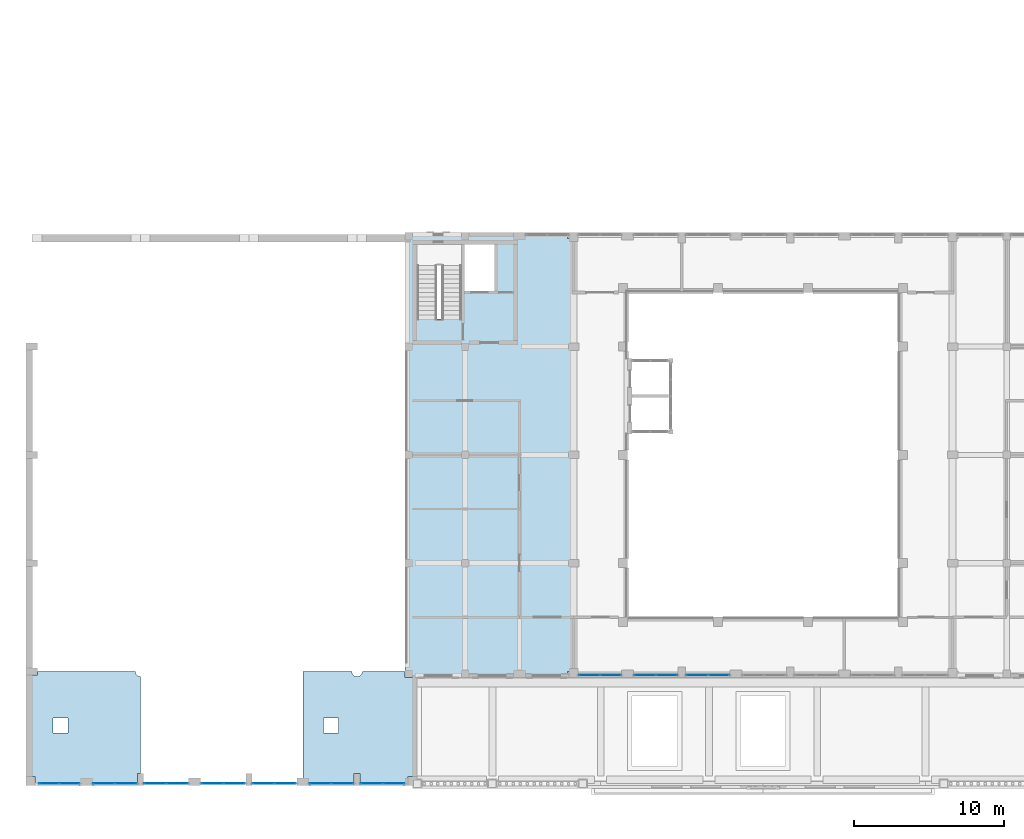
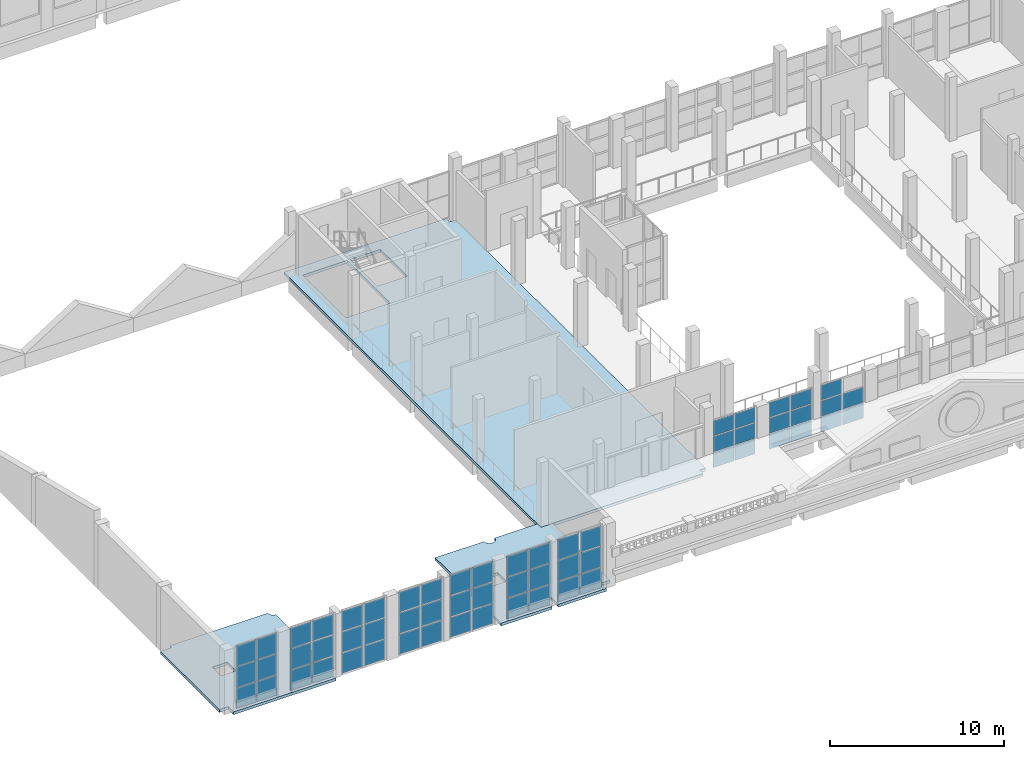
# One storey, part 16 of 58: 59 plates, 3 slabs, 10 elements without a shape of their own.
"""IFC4 building model written with IfcOpenShell, lengths in metres."""

from ifc_helpers import new_model, si_unit, direction, frame, origin, origin_2d, place, context, subcontext, project, spatial, polyline, rectangle, outline, extrude, material, layer, layer_set, type_object, element, aggregate, save


model = new_model("IFC4")

# Units and contexts
model_context = context("Model", 3, precision=1e-05, world=origin(), true_north=direction((0.0, 1.0)))
body_context = subcontext(model_context, "Body", "Model", "MODEL_VIEW")
ifc_project = project(units=[si_unit("LENGTHUNIT", "METRE"), si_unit("AREAUNIT", "SQUARE_METRE"), si_unit("VOLUMEUNIT", "CUBIC_METRE"), si_unit("PLANEANGLEUNIT", "RADIAN"), si_unit("MASSUNIT", "GRAM", prefix="KILO")], contexts=[model_context])

# Site, building, storey
site_placement = place(None, origin())
site = spatial("IfcSite", under=ifc_project, at=site_placement, CompositionType="ELEMENT")
building_placement = place(site_placement, origin())
building = spatial("IfcBuilding", under=site, at=building_placement, Name="Ussher Court Research Institute", CompositionType="ELEMENT")
storey_placement = place(building_placement, frame((0.0, 0.0, 9.89990234375)))
storey = spatial("IfcBuildingStorey", under=building, at=storey_placement, Name="L02", CompositionType="ELEMENT", Elevation=9.89990234375)

# Slabs
ifc_material_1 = material(Name="Concrete C35/45", Category="concrete")
ifc_layer_1 = layer(ifc_material_1, 0.199951171875)
ifc_layer_set_1 = layer_set([ifc_layer_1], Name="Concrete C35/45")
slab_type_1 = type_object("IfcSlabType", Name="Core roof slab 200 RC", PredefinedType="ROOF", material=ifc_layer_set_1)
slab_1_placement = place(storey_placement, frame((0.0, 0.0, -0.199951171875)))
element("IfcSlab", 1, at=slab_1_placement, inside=storey, type_object=slab_type_1, Name="Core roof slab", PredefinedType="ROOF", context=body_context, shape_type="SweptSolid", body=[
    extrude(outline(polyline([(10.0, 4.39990234375), (10.0, 3.60009765625), (3.199951171875, 3.60009765625), (3.199951171875, 4.199951171875), (2.60009765625, 4.199951171875), (2.60009765625, 10.97509765625), (3.35009765625, 10.97509765625), (3.35009765625, 11.199951171875), (9.85009765625, 11.199951171875), (9.856689453125, 11.131591796875), (9.876708984375, 11.066162109375), (9.908935546875, 11.005615234375), (9.952392578125, 10.952392578125), (10.005615234375, 10.908935546875), (10.066162109375, 10.876708984375), (10.131591796875, 10.856689453125), (10.199951171875, 10.85009765625), (10.199951171875, 4.39990234375), (10.0, 4.39990234375)]), holes=[polyline([(5.375, 8.10009765625), (4.375, 8.10009765625), (4.375, 7.10009765625), (5.375, 7.10009765625), (5.375, 8.10009765625)])]), origin(), (0.0, 0.0, 1.0), 0.199951171875),
])
slab_2_placement = place(storey_placement, frame((0.0, 0.0, -0.199951171875)))
element("IfcSlab", 2, at=slab_2_placement, inside=storey, type_object=slab_type_1, Name="Core roof slab", PredefinedType="ROOF", context=body_context, shape_type="SweptSolid", body=[
    extrude(outline(polyline([(28.0, 4.199951171875), (28.0, 3.60009765625), (24.800048828125, 3.60009765625), (24.800048828125, 4.39990234375), (24.39990234375, 4.39990234375), (24.39990234375, 3.60009765625), (21.0, 3.60009765625), (21.0, 11.199951171875), (24.25, 11.199951171875), (24.256591796875, 11.131591796875), (24.276611328125, 11.066162109375), (24.30908203125, 11.005615234375), (24.3525390625, 10.952392578125), (24.405517578125, 10.908935546875), (24.466064453125, 10.876708984375), (24.53173828125, 10.856689453125), (24.60009765625, 10.85009765625), (24.668212890625, 10.856689453125), (24.73388671875, 10.876708984375), (24.79443359375, 10.908935546875), (24.847412109375, 10.952392578125), (24.89111328125, 11.005615234375), (24.92333984375, 11.066162109375), (24.943359375, 11.131591796875), (24.949951171875, 11.199951171875), (27.800048828125, 11.199951171875), (27.800048828125, 10.800048828125), (28.60009765625, 10.800048828125), (28.60009765625, 4.199951171875), (28.0, 4.199951171875)]), holes=[polyline([(23.375, 8.10009765625), (22.375, 8.10009765625), (22.375, 7.10009765625), (23.375, 7.10009765625), (23.375, 8.10009765625)])]), origin(), (0.0, 0.0, 1.0), 0.199951171875),
])
ifc_material_2 = material(Name="Concrete C35/45", Category="concrete")
ifc_layer_2 = layer(ifc_material_2, 0.199951171875)
ifc_layer_set_2 = layer_set([ifc_layer_2], Name="Concrete C35/45")
slab_type_2 = type_object("IfcSlabType", Name="Floor slab 200", PredefinedType="FLOOR", material=ifc_layer_set_2)
slab_3_placement = place(storey_placement, frame((0.0, 0.0, -0.199951171875)))
element("IfcSlab", 3, at=slab_3_placement, inside=storey, type_object=slab_type_2, Name="FS200 V7 L02-02", PredefinedType="FLOOR", context=body_context, shape_type="SweptSolid", body=[
    extrude(outline(polyline([(38.60009765625, 40.0), (38.60009765625, 40.39990234375), (27.800048828125, 40.39990234375), (27.800048828125, 10.800048828125), (38.60009765625, 10.800048828125), (38.60009765625, 11.199951171875), (39.0, 11.199951171875), (39.0, 40.0), (38.60009765625, 40.0)]), holes=[polyline([(28.60009765625, 34.64990234375), (28.60009765625, 39.60009765625), (31.550048828125, 39.60009765625), (31.550048828125, 34.64990234375), (28.60009765625, 34.64990234375)]), polyline([(33.75, 36.5), (31.75, 36.5), (31.75, 39.60009765625), (33.75, 39.60009765625), (33.75, 36.5)])]), origin(), (0.0, 0.0, 1.0), 0.199951171875),
])

# Curtain wall, plates
ifc_material_3 = material(Name="Bronze anodised aluminium with low-e glass", Category="aluminium")
ifc_layer_3 = layer(ifc_material_3, 0.1201171875)
ifc_layer_set_3 = layer_set([ifc_layer_3], Name="Bronze anodised aluminium with low-e glass")
curtain_wall_type_1 = type_object("IfcCurtainWallType", Name="Curtain wall atrium clear glazing", PredefinedType="NOTDEFINED", material=ifc_layer_set_3)
curtain_wall_1_placement = place(storey_placement, origin())
curtain_wall_1 = element("IfcCurtainWall", 4, at=curtain_wall_1_placement, inside=storey, type_object=curtain_wall_type_1, Name="Curtain wall CW2 L02", PredefinedType="NOTDEFINED")
ifc_material_4 = material(Name="Double glazed unit")
ifc_layer_4 = layer(ifc_material_4, 0.028076171875)
ifc_layer_set_4 = layer_set([ifc_layer_4], Name="Double glazed unit")
plate_type_1 = type_object("IfcPlateType", Name="Glazing panel 28 mm", PredefinedType="CURTAIN_PANEL", material=ifc_layer_set_4)
plate_1_placement = place(storey_placement, frame((48.6474609375, 10.949951171875, 0.06005859375), z_axis=(0.0, 0.0, 1.0), x_axis=(-1.0, 0.0, 0.0)))
plate_1 = element("IfcPlate", 5, at=plate_1_placement, type_object=plate_type_1, Name="CW2 panel 1.1", PredefinedType="CURTAIN_PANEL", context=body_context, shape_type="SweptSolid", body=[
    extrude(rectangle(XDim=1.385009765625, YDim=0.028076171875, at=origin_2d()), origin(), (0.0, 0.0, 1.0), 1.043212890625),
])
plate_2_placement = place(storey_placement, frame((48.6474609375, 10.949951171875, 1.16357421875), z_axis=(0.0, 0.0, 1.0), x_axis=(-1.0, 0.0, 0.0)))
plate_2 = element("IfcPlate", 6, at=plate_2_placement, type_object=plate_type_1, Name="CW2 panel 1.2", PredefinedType="CURTAIN_PANEL", context=body_context, shape_type="SweptSolid", body=[
    extrude(rectangle(XDim=1.385009765625, YDim=0.028076171875, at=origin_2d()), origin(), (0.0, 0.0, 1.0), 1.073486328125),
])
plate_3_placement = place(storey_placement, frame((47.202392578125, 10.949951171875, 0.06005859375), z_axis=(0.0, 0.0, 1.0), x_axis=(-1.0, 0.0, 0.0)))
plate_3 = element("IfcPlate", 7, at=plate_3_placement, type_object=plate_type_1, Name="CW2 panel 2.1", PredefinedType="CURTAIN_PANEL", context=body_context, shape_type="SweptSolid", body=[
    extrude(rectangle(XDim=1.385009765625, YDim=0.028076171875, at=origin_2d()), origin(), (0.0, 0.0, 1.0), 1.043212890625),
])
plate_4_placement = place(storey_placement, frame((47.202392578125, 10.949951171875, 1.16357421875), z_axis=(0.0, 0.0, 1.0), x_axis=(-1.0, 0.0, 0.0)))
plate_4 = element("IfcPlate", 8, at=plate_4_placement, type_object=plate_type_1, Name="CW2 panel 2.2", PredefinedType="CURTAIN_PANEL", context=body_context, shape_type="SweptSolid", body=[
    extrude(rectangle(XDim=1.385009765625, YDim=0.028076171875, at=origin_2d()), origin(), (0.0, 0.0, 1.0), 1.073486328125),
])
plate_5_placement = place(storey_placement, frame((47.202392578125, 10.949951171875, 2.296875), z_axis=(0.0, 0.0, 1.0), x_axis=(-1.0, 0.0, 0.0)))
plate_5 = element("IfcPlate", 9, at=plate_5_placement, type_object=plate_type_1, Name="CW2 panel 2.3", PredefinedType="CURTAIN_PANEL", context=body_context, shape_type="SweptSolid", body=[
    extrude(rectangle(XDim=1.385009765625, YDim=0.028076171875, at=origin_2d()), origin(), (0.0, 0.0, 1.0), 1.043212890625),
])
aggregate(curtain_wall_1, [plate_1, plate_2, plate_3, plate_4, plate_5])

curtain_wall_2_placement = place(storey_placement, origin())
curtain_wall_2 = element("IfcCurtainWall", 10, at=curtain_wall_2_placement, inside=storey, type_object=curtain_wall_type_1, Name="Curtain wall CW2 L02", PredefinedType="NOTDEFINED")
plate_6_placement = place(storey_placement, frame((45.197509765625, 10.949951171875, 0.06005859375), z_axis=(0.0, 0.0, 1.0), x_axis=(-1.0, 0.0, 0.0)))
plate_6 = element("IfcPlate", 11, at=plate_6_placement, type_object=plate_type_1, Name="CW2 panel 1.1", PredefinedType="CURTAIN_PANEL", context=body_context, shape_type="SweptSolid", body=[
    extrude(rectangle(XDim=1.385009765625, YDim=0.028076171875, at=origin_2d()), origin(), (0.0, 0.0, 1.0), 1.043212890625),
])
plate_7_placement = place(storey_placement, frame((45.197509765625, 10.949951171875, 1.16357421875), z_axis=(0.0, 0.0, 1.0), x_axis=(-1.0, 0.0, 0.0)))
plate_7 = element("IfcPlate", 12, at=plate_7_placement, type_object=plate_type_1, Name="CW2 panel 1.2", PredefinedType="CURTAIN_PANEL", context=body_context, shape_type="SweptSolid", body=[
    extrude(rectangle(XDim=1.385009765625, YDim=0.028076171875, at=origin_2d()), origin(), (0.0, 0.0, 1.0), 1.073486328125),
])
plate_8_placement = place(storey_placement, frame((45.197509765625, 10.949951171875, 2.296875), z_axis=(0.0, 0.0, 1.0), x_axis=(-1.0, 0.0, 0.0)))
plate_8 = element("IfcPlate", 13, at=plate_8_placement, type_object=plate_type_1, Name="CW2 panel 1.3", PredefinedType="CURTAIN_PANEL", context=body_context, shape_type="SweptSolid", body=[
    extrude(rectangle(XDim=1.385009765625, YDim=0.028076171875, at=origin_2d()), origin(), (0.0, 0.0, 1.0), 1.043212890625),
])
plate_9_placement = place(storey_placement, frame((43.75244140625, 10.949951171875, 0.06005859375), z_axis=(0.0, 0.0, 1.0), x_axis=(-1.0, 0.0, 0.0)))
plate_9 = element("IfcPlate", 14, at=plate_9_placement, type_object=plate_type_1, Name="CW2 panel 2.1", PredefinedType="CURTAIN_PANEL", context=body_context, shape_type="SweptSolid", body=[
    extrude(rectangle(XDim=1.385009765625, YDim=0.028076171875, at=origin_2d()), origin(), (0.0, 0.0, 1.0), 1.043212890625),
])
plate_10_placement = place(storey_placement, frame((43.75244140625, 10.949951171875, 1.16357421875), z_axis=(0.0, 0.0, 1.0), x_axis=(-1.0, 0.0, 0.0)))
plate_10 = element("IfcPlate", 15, at=plate_10_placement, type_object=plate_type_1, Name="CW2 panel 2.2", PredefinedType="CURTAIN_PANEL", context=body_context, shape_type="SweptSolid", body=[
    extrude(rectangle(XDim=1.385009765625, YDim=0.028076171875, at=origin_2d()), origin(), (0.0, 0.0, 1.0), 1.073486328125),
])
plate_11_placement = place(storey_placement, frame((43.75244140625, 10.949951171875, 2.296875), z_axis=(0.0, 0.0, 1.0), x_axis=(-1.0, 0.0, 0.0)))
plate_11 = element("IfcPlate", 16, at=plate_11_placement, type_object=plate_type_1, Name="CW2 panel 2.3", PredefinedType="CURTAIN_PANEL", context=body_context, shape_type="SweptSolid", body=[
    extrude(rectangle(XDim=1.385009765625, YDim=0.028076171875, at=origin_2d()), origin(), (0.0, 0.0, 1.0), 1.043212890625),
])
aggregate(curtain_wall_2, [plate_6, plate_7, plate_8, plate_9, plate_10, plate_11])

curtain_wall_3_placement = place(storey_placement, origin())
curtain_wall_3 = element("IfcCurtainWall", 17, at=curtain_wall_3_placement, inside=storey, type_object=curtain_wall_type_1, Name="Curtain wall CW2 L02", PredefinedType="NOTDEFINED")
plate_12_placement = place(storey_placement, frame((41.4599609375, 10.949951171875, 0.06005859375), z_axis=(0.0, 0.0, 1.0), x_axis=(-1.0, 0.0, 0.0)))
plate_12 = element("IfcPlate", 18, at=plate_12_placement, type_object=plate_type_1, Name="CW2 panel 1.1", PredefinedType="CURTAIN_PANEL", context=body_context, shape_type="SweptSolid", body=[
    extrude(rectangle(XDim=1.360107421875, YDim=0.028076171875, at=origin_2d()), origin(), (0.0, 0.0, 1.0), 1.043212890625),
])
plate_13_placement = place(storey_placement, frame((41.4599609375, 10.949951171875, 1.16357421875), z_axis=(0.0, 0.0, 1.0), x_axis=(-1.0, 0.0, 0.0)))
plate_13 = element("IfcPlate", 19, at=plate_13_placement, type_object=plate_type_1, Name="CW2 panel 1.2", PredefinedType="CURTAIN_PANEL", context=body_context, shape_type="SweptSolid", body=[
    extrude(rectangle(XDim=1.360107421875, YDim=0.028076171875, at=origin_2d()), origin(), (0.0, 0.0, 1.0), 1.073486328125),
])
plate_14_placement = place(storey_placement, frame((41.4599609375, 10.949951171875, 2.296875), z_axis=(0.0, 0.0, 1.0), x_axis=(-1.0, 0.0, 0.0)))
plate_14 = element("IfcPlate", 20, at=plate_14_placement, type_object=plate_type_1, Name="CW2 panel 1.3", PredefinedType="CURTAIN_PANEL", context=body_context, shape_type="SweptSolid", body=[
    extrude(rectangle(XDim=1.360107421875, YDim=0.028076171875, at=origin_2d()), origin(), (0.0, 0.0, 1.0), 1.043212890625),
])
plate_15_placement = place(storey_placement, frame((40.0400390625, 10.949951171875, 0.06005859375), z_axis=(0.0, 0.0, 1.0), x_axis=(-1.0, 0.0, 0.0)))
plate_15 = element("IfcPlate", 21, at=plate_15_placement, type_object=plate_type_1, Name="CW2 panel 2.1", PredefinedType="CURTAIN_PANEL", context=body_context, shape_type="SweptSolid", body=[
    extrude(rectangle(XDim=1.360107421875, YDim=0.028076171875, at=origin_2d()), origin(), (0.0, 0.0, 1.0), 1.043212890625),
])
plate_16_placement = place(storey_placement, frame((40.0400390625, 10.949951171875, 1.16357421875), z_axis=(0.0, 0.0, 1.0), x_axis=(-1.0, 0.0, 0.0)))
plate_16 = element("IfcPlate", 22, at=plate_16_placement, type_object=plate_type_1, Name="CW2 panel 2.2", PredefinedType="CURTAIN_PANEL", context=body_context, shape_type="SweptSolid", body=[
    extrude(rectangle(XDim=1.360107421875, YDim=0.028076171875, at=origin_2d()), origin(), (0.0, 0.0, 1.0), 1.073486328125),
])
plate_17_placement = place(storey_placement, frame((40.0400390625, 10.949951171875, 2.296875), z_axis=(0.0, 0.0, 1.0), x_axis=(-1.0, 0.0, 0.0)))
plate_17 = element("IfcPlate", 23, at=plate_17_placement, type_object=plate_type_1, Name="CW2 panel 2.3", PredefinedType="CURTAIN_PANEL", context=body_context, shape_type="SweptSolid", body=[
    extrude(rectangle(XDim=1.360107421875, YDim=0.028076171875, at=origin_2d()), origin(), (0.0, 0.0, 1.0), 1.043212890625),
])
aggregate(curtain_wall_3, [plate_12, plate_13, plate_14, plate_15, plate_16, plate_17])

ifc_material_5 = material(Name="Bronze anodised aluminium with low-e glass", Category="aluminium")
ifc_layer_5 = layer(ifc_material_5, 0.159912109375)
ifc_layer_set_5 = layer_set([ifc_layer_5], Name="Bronze anodised aluminium with low-e glass")
curtain_wall_type_2 = type_object("IfcCurtainWallType", Name="Curtain wall lecture theatre gable glazing", PredefinedType="NOTDEFINED", material=ifc_layer_set_5)
curtain_wall_4_placement = place(storey_placement, origin())
curtain_wall_4 = element("IfcCurtainWall", 24, at=curtain_wall_4_placement, inside=storey, type_object=curtain_wall_type_2, Name="Curtain wall CW5 L02", PredefinedType="NOTDEFINED")
ifc_material_6 = material(Name="Double glazed unit laminated")
ifc_layer_6 = layer(ifc_material_6, 0.035888671875)
ifc_layer_set_6 = layer_set([ifc_layer_6], Name="Double glazed unit laminated")
plate_type_2 = type_object("IfcPlateType", Name="Glazing panel 36 mm", PredefinedType="CURTAIN_PANEL", material=ifc_layer_set_6)
plate_18_placement = place(storey_placement, frame((27.034912109375, 3.75, 0.06005859375), z_axis=(0.0, 0.0, 1.0), x_axis=(-1.0, 0.0, 0.0)))
plate_18 = element("IfcPlate", 25, at=plate_18_placement, type_object=plate_type_2, Name="CW5 panel 1.1", PredefinedType="CURTAIN_PANEL", context=body_context, shape_type="SweptSolid", body=[
    extrude(rectangle(XDim=1.409912109375, YDim=0.035888671875, at=origin_2d()), origin(), (0.0, 0.0, 1.0), 1.409912109375),
])
plate_19_placement = place(storey_placement, frame((27.034912109375, 3.75, 1.530029296875), z_axis=(0.0, 0.0, 1.0), x_axis=(-1.0, 0.0, 0.0)))
plate_19 = element("IfcPlate", 26, at=plate_19_placement, type_object=plate_type_2, Name="CW5 panel 1.2", PredefinedType="CURTAIN_PANEL", context=body_context, shape_type="SweptSolid", body=[
    extrude(rectangle(XDim=1.409912109375, YDim=0.035888671875, at=origin_2d()), origin(), (0.0, 0.0, 1.0), 1.43994140625),
])
plate_20_placement = place(storey_placement, frame((27.034912109375, 3.75, 3.0302734375), z_axis=(0.0, 0.0, 1.0), x_axis=(-1.0, 0.0, 0.0)))
plate_20 = element("IfcPlate", 27, at=plate_20_placement, type_object=plate_type_2, Name="CW5 panel 1.3", PredefinedType="CURTAIN_PANEL", context=body_context, shape_type="SweptSolid", body=[
    extrude(rectangle(XDim=1.409912109375, YDim=0.035888671875, at=origin_2d()), origin(), (0.0, 0.0, 1.0), 1.409912109375),
])
plate_21_placement = place(storey_placement, frame((25.56494140625, 3.75, 0.06005859375), z_axis=(0.0, 0.0, 1.0), x_axis=(-1.0, 0.0, 0.0)))
plate_21 = element("IfcPlate", 28, at=plate_21_placement, type_object=plate_type_2, Name="CW5 panel 2.1", PredefinedType="CURTAIN_PANEL", context=body_context, shape_type="SweptSolid", body=[
    extrude(rectangle(XDim=1.409912109375, YDim=0.035888671875, at=origin_2d()), origin(), (0.0, 0.0, 1.0), 1.409912109375),
])
plate_22_placement = place(storey_placement, frame((25.56494140625, 3.75, 1.530029296875), z_axis=(0.0, 0.0, 1.0), x_axis=(-1.0, 0.0, 0.0)))
plate_22 = element("IfcPlate", 29, at=plate_22_placement, type_object=plate_type_2, Name="CW5 panel 2.2", PredefinedType="CURTAIN_PANEL", context=body_context, shape_type="SweptSolid", body=[
    extrude(rectangle(XDim=1.409912109375, YDim=0.035888671875, at=origin_2d()), origin(), (0.0, 0.0, 1.0), 1.43994140625),
])
plate_23_placement = place(storey_placement, frame((25.56494140625, 3.75, 3.0302734375), z_axis=(0.0, 0.0, 1.0), x_axis=(-1.0, 0.0, 0.0)))
plate_23 = element("IfcPlate", 30, at=plate_23_placement, type_object=plate_type_2, Name="CW5 panel 2.3", PredefinedType="CURTAIN_PANEL", context=body_context, shape_type="SweptSolid", body=[
    extrude(rectangle(XDim=1.409912109375, YDim=0.035888671875, at=origin_2d()), origin(), (0.0, 0.0, 1.0), 1.409912109375),
])
aggregate(curtain_wall_4, [plate_18, plate_19, plate_20, plate_21, plate_22, plate_23])

curtain_wall_5_placement = place(storey_placement, origin())
curtain_wall_5 = element("IfcCurtainWall", 31, at=curtain_wall_5_placement, inside=storey, type_object=curtain_wall_type_2, Name="Curtain wall CW5 L02", PredefinedType="NOTDEFINED")
plate_24_placement = place(storey_placement, frame((23.635009765625, 3.75, 0.06005859375), z_axis=(0.0, 0.0, 1.0), x_axis=(-1.0, 0.0, 0.0)))
plate_24 = element("IfcPlate", 32, at=plate_24_placement, type_object=plate_type_2, Name="CW5 panel 1.1", PredefinedType="CURTAIN_PANEL", context=body_context, shape_type="SweptSolid", body=[
    extrude(rectangle(XDim=1.409912109375, YDim=0.035888671875, at=origin_2d()), origin(), (0.0, 0.0, 1.0), 1.409912109375),
])
plate_25_placement = place(storey_placement, frame((23.635009765625, 3.75, 1.530029296875), z_axis=(0.0, 0.0, 1.0), x_axis=(-1.0, 0.0, 0.0)))
plate_25 = element("IfcPlate", 33, at=plate_25_placement, type_object=plate_type_2, Name="CW5 panel 1.2", PredefinedType="CURTAIN_PANEL", context=body_context, shape_type="SweptSolid", body=[
    extrude(rectangle(XDim=1.409912109375, YDim=0.035888671875, at=origin_2d()), origin(), (0.0, 0.0, 1.0), 1.43994140625),
])
plate_26_placement = place(storey_placement, frame((23.635009765625, 3.75, 3.0302734375), z_axis=(0.0, 0.0, 1.0), x_axis=(-1.0, 0.0, 0.0)))
plate_26 = element("IfcPlate", 34, at=plate_26_placement, type_object=plate_type_2, Name="CW5 panel 1.3", PredefinedType="CURTAIN_PANEL", context=body_context, shape_type="SweptSolid", body=[
    extrude(rectangle(XDim=1.409912109375, YDim=0.035888671875, at=origin_2d()), origin(), (0.0, 0.0, 1.0), 1.409912109375),
])
plate_27_placement = place(storey_placement, frame((22.1650390625, 3.75, 0.06005859375), z_axis=(0.0, 0.0, 1.0), x_axis=(-1.0, 0.0, 0.0)))
plate_27 = element("IfcPlate", 35, at=plate_27_placement, type_object=plate_type_2, Name="CW5 panel 2.1", PredefinedType="CURTAIN_PANEL", context=body_context, shape_type="SweptSolid", body=[
    extrude(rectangle(XDim=1.409912109375, YDim=0.035888671875, at=origin_2d()), origin(), (0.0, 0.0, 1.0), 1.409912109375),
])
plate_28_placement = place(storey_placement, frame((22.1650390625, 3.75, 1.530029296875), z_axis=(0.0, 0.0, 1.0), x_axis=(-1.0, 0.0, 0.0)))
plate_28 = element("IfcPlate", 36, at=plate_28_placement, type_object=plate_type_2, Name="CW5 panel 2.2", PredefinedType="CURTAIN_PANEL", context=body_context, shape_type="SweptSolid", body=[
    extrude(rectangle(XDim=1.409912109375, YDim=0.035888671875, at=origin_2d()), origin(), (0.0, 0.0, 1.0), 1.43994140625),
])
plate_29_placement = place(storey_placement, frame((22.1650390625, 3.75, 3.0302734375), z_axis=(0.0, 0.0, 1.0), x_axis=(-1.0, 0.0, 0.0)))
plate_29 = element("IfcPlate", 37, at=plate_29_placement, type_object=plate_type_2, Name="CW5 panel 2.3", PredefinedType="CURTAIN_PANEL", context=body_context, shape_type="SweptSolid", body=[
    extrude(rectangle(XDim=1.409912109375, YDim=0.035888671875, at=origin_2d()), origin(), (0.0, 0.0, 1.0), 1.409912109375),
])
aggregate(curtain_wall_5, [plate_24, plate_25, plate_26, plate_27, plate_28, plate_29])

curtain_wall_6_placement = place(storey_placement, origin())
curtain_wall_6 = element("IfcCurtainWall", 38, at=curtain_wall_6_placement, inside=storey, type_object=curtain_wall_type_2, Name="Curtain wall CW5 L02", PredefinedType="NOTDEFINED")
plate_30_placement = place(storey_placement, frame((19.8349609375, 3.75, 0.06005859375), z_axis=(0.0, 0.0, 1.0), x_axis=(-1.0, 0.0, 0.0)))
plate_30 = element("IfcPlate", 39, at=plate_30_placement, type_object=plate_type_2, Name="CW5 panel 1.1", PredefinedType="CURTAIN_PANEL", context=body_context, shape_type="SweptSolid", body=[
    extrude(rectangle(XDim=1.409912109375, YDim=0.035888671875, at=origin_2d()), origin(), (0.0, 0.0, 1.0), 1.409912109375),
])
plate_31_placement = place(storey_placement, frame((19.8349609375, 3.75, 1.530029296875), z_axis=(0.0, 0.0, 1.0), x_axis=(-1.0, 0.0, 0.0)))
plate_31 = element("IfcPlate", 40, at=plate_31_placement, type_object=plate_type_2, Name="CW5 panel 1.2", PredefinedType="CURTAIN_PANEL", context=body_context, shape_type="SweptSolid", body=[
    extrude(rectangle(XDim=1.409912109375, YDim=0.035888671875, at=origin_2d()), origin(), (0.0, 0.0, 1.0), 1.43994140625),
])
plate_32_placement = place(storey_placement, frame((19.8349609375, 3.75, 3.0302734375), z_axis=(0.0, 0.0, 1.0), x_axis=(-1.0, 0.0, 0.0)))
plate_32 = element("IfcPlate", 41, at=plate_32_placement, type_object=plate_type_2, Name="CW5 panel 1.3", PredefinedType="CURTAIN_PANEL", context=body_context, shape_type="SweptSolid", body=[
    extrude(rectangle(XDim=1.409912109375, YDim=0.035888671875, at=origin_2d()), origin(), (0.0, 0.0, 1.0), 1.409912109375),
])
plate_33_placement = place(storey_placement, frame((18.364990234375, 3.75, 0.06005859375), z_axis=(0.0, 0.0, 1.0), x_axis=(-1.0, 0.0, 0.0)))
plate_33 = element("IfcPlate", 42, at=plate_33_placement, type_object=plate_type_2, Name="CW5 panel 2.1", PredefinedType="CURTAIN_PANEL", context=body_context, shape_type="SweptSolid", body=[
    extrude(rectangle(XDim=1.409912109375, YDim=0.035888671875, at=origin_2d()), origin(), (0.0, 0.0, 1.0), 1.409912109375),
])
plate_34_placement = place(storey_placement, frame((18.364990234375, 3.75, 1.530029296875), z_axis=(0.0, 0.0, 1.0), x_axis=(-1.0, 0.0, 0.0)))
plate_34 = element("IfcPlate", 43, at=plate_34_placement, type_object=plate_type_2, Name="CW5 panel 2.2", PredefinedType="CURTAIN_PANEL", context=body_context, shape_type="SweptSolid", body=[
    extrude(rectangle(XDim=1.409912109375, YDim=0.035888671875, at=origin_2d()), origin(), (0.0, 0.0, 1.0), 1.43994140625),
])
plate_35_placement = place(storey_placement, frame((18.364990234375, 3.75, 3.0302734375), z_axis=(0.0, 0.0, 1.0), x_axis=(-1.0, 0.0, 0.0)))
plate_35 = element("IfcPlate", 44, at=plate_35_placement, type_object=plate_type_2, Name="CW5 panel 2.3", PredefinedType="CURTAIN_PANEL", context=body_context, shape_type="SweptSolid", body=[
    extrude(rectangle(XDim=1.409912109375, YDim=0.035888671875, at=origin_2d()), origin(), (0.0, 0.0, 1.0), 1.409912109375),
])
aggregate(curtain_wall_6, [plate_30, plate_31, plate_32, plate_33, plate_34, plate_35])

curtain_wall_7_placement = place(storey_placement, origin())
curtain_wall_7 = element("IfcCurtainWall", 45, at=curtain_wall_7_placement, inside=storey, type_object=curtain_wall_type_2, Name="Curtain wall CW5 L02", PredefinedType="NOTDEFINED")
plate_36_placement = place(storey_placement, frame((16.43505859375, 3.75, 0.06005859375), z_axis=(0.0, 0.0, 1.0), x_axis=(-1.0, 0.0, 0.0)))
plate_36 = element("IfcPlate", 46, at=plate_36_placement, type_object=plate_type_2, Name="CW5 panel 1.1", PredefinedType="CURTAIN_PANEL", context=body_context, shape_type="SweptSolid", body=[
    extrude(rectangle(XDim=1.409912109375, YDim=0.035888671875, at=origin_2d()), origin(), (0.0, 0.0, 1.0), 1.409912109375),
])
plate_37_placement = place(storey_placement, frame((16.43505859375, 3.75, 1.530029296875), z_axis=(0.0, 0.0, 1.0), x_axis=(-1.0, 0.0, 0.0)))
plate_37 = element("IfcPlate", 47, at=plate_37_placement, type_object=plate_type_2, Name="CW5 panel 1.2", PredefinedType="CURTAIN_PANEL", context=body_context, shape_type="SweptSolid", body=[
    extrude(rectangle(XDim=1.409912109375, YDim=0.035888671875, at=origin_2d()), origin(), (0.0, 0.0, 1.0), 1.43994140625),
])
plate_38_placement = place(storey_placement, frame((16.43505859375, 3.75, 3.0302734375), z_axis=(0.0, 0.0, 1.0), x_axis=(-1.0, 0.0, 0.0)))
plate_38 = element("IfcPlate", 48, at=plate_38_placement, type_object=plate_type_2, Name="CW5 panel 1.3", PredefinedType="CURTAIN_PANEL", context=body_context, shape_type="SweptSolid", body=[
    extrude(rectangle(XDim=1.409912109375, YDim=0.035888671875, at=origin_2d()), origin(), (0.0, 0.0, 1.0), 1.409912109375),
])
plate_39_placement = place(storey_placement, frame((14.965087890625, 3.75, 0.06005859375), z_axis=(0.0, 0.0, 1.0), x_axis=(-1.0, 0.0, 0.0)))
plate_39 = element("IfcPlate", 49, at=plate_39_placement, type_object=plate_type_2, Name="CW5 panel 2.1", PredefinedType="CURTAIN_PANEL", context=body_context, shape_type="SweptSolid", body=[
    extrude(rectangle(XDim=1.409912109375, YDim=0.035888671875, at=origin_2d()), origin(), (0.0, 0.0, 1.0), 1.409912109375),
])
plate_40_placement = place(storey_placement, frame((14.965087890625, 3.75, 1.530029296875), z_axis=(0.0, 0.0, 1.0), x_axis=(-1.0, 0.0, 0.0)))
plate_40 = element("IfcPlate", 50, at=plate_40_placement, type_object=plate_type_2, Name="CW5 panel 2.2", PredefinedType="CURTAIN_PANEL", context=body_context, shape_type="SweptSolid", body=[
    extrude(rectangle(XDim=1.409912109375, YDim=0.035888671875, at=origin_2d()), origin(), (0.0, 0.0, 1.0), 1.43994140625),
])
plate_41_placement = place(storey_placement, frame((14.965087890625, 3.75, 3.0302734375), z_axis=(0.0, 0.0, 1.0), x_axis=(-1.0, 0.0, 0.0)))
plate_41 = element("IfcPlate", 51, at=plate_41_placement, type_object=plate_type_2, Name="CW5 panel 2.3", PredefinedType="CURTAIN_PANEL", context=body_context, shape_type="SweptSolid", body=[
    extrude(rectangle(XDim=1.409912109375, YDim=0.035888671875, at=origin_2d()), origin(), (0.0, 0.0, 1.0), 1.409912109375),
])
aggregate(curtain_wall_7, [plate_36, plate_37, plate_38, plate_39, plate_40, plate_41])

curtain_wall_8_placement = place(storey_placement, origin())
curtain_wall_8 = element("IfcCurtainWall", 52, at=curtain_wall_8_placement, inside=storey, type_object=curtain_wall_type_2, Name="Curtain wall CW5 L02", PredefinedType="NOTDEFINED")
plate_42_placement = place(storey_placement, frame((12.635009765625, 3.75, 0.06005859375), z_axis=(0.0, 0.0, 1.0), x_axis=(-1.0, 0.0, 0.0)))
plate_42 = element("IfcPlate", 53, at=plate_42_placement, type_object=plate_type_2, Name="CW5 panel 1.1", PredefinedType="CURTAIN_PANEL", context=body_context, shape_type="SweptSolid", body=[
    extrude(rectangle(XDim=1.409912109375, YDim=0.035888671875, at=origin_2d()), origin(), (0.0, 0.0, 1.0), 1.409912109375),
])
plate_43_placement = place(storey_placement, frame((12.635009765625, 3.75, 1.530029296875), z_axis=(0.0, 0.0, 1.0), x_axis=(-1.0, 0.0, 0.0)))
plate_43 = element("IfcPlate", 54, at=plate_43_placement, type_object=plate_type_2, Name="CW5 panel 1.2", PredefinedType="CURTAIN_PANEL", context=body_context, shape_type="SweptSolid", body=[
    extrude(rectangle(XDim=1.409912109375, YDim=0.035888671875, at=origin_2d()), origin(), (0.0, 0.0, 1.0), 1.43994140625),
])
plate_44_placement = place(storey_placement, frame((12.635009765625, 3.75, 3.0302734375), z_axis=(0.0, 0.0, 1.0), x_axis=(-1.0, 0.0, 0.0)))
plate_44 = element("IfcPlate", 55, at=plate_44_placement, type_object=plate_type_2, Name="CW5 panel 1.3", PredefinedType="CURTAIN_PANEL", context=body_context, shape_type="SweptSolid", body=[
    extrude(rectangle(XDim=1.409912109375, YDim=0.035888671875, at=origin_2d()), origin(), (0.0, 0.0, 1.0), 1.409912109375),
])
plate_45_placement = place(storey_placement, frame((11.1650390625, 3.75, 0.06005859375), z_axis=(0.0, 0.0, 1.0), x_axis=(-1.0, 0.0, 0.0)))
plate_45 = element("IfcPlate", 56, at=plate_45_placement, type_object=plate_type_2, Name="CW5 panel 2.1", PredefinedType="CURTAIN_PANEL", context=body_context, shape_type="SweptSolid", body=[
    extrude(rectangle(XDim=1.409912109375, YDim=0.035888671875, at=origin_2d()), origin(), (0.0, 0.0, 1.0), 1.409912109375),
])
plate_46_placement = place(storey_placement, frame((11.1650390625, 3.75, 1.530029296875), z_axis=(0.0, 0.0, 1.0), x_axis=(-1.0, 0.0, 0.0)))
plate_46 = element("IfcPlate", 57, at=plate_46_placement, type_object=plate_type_2, Name="CW5 panel 2.2", PredefinedType="CURTAIN_PANEL", context=body_context, shape_type="SweptSolid", body=[
    extrude(rectangle(XDim=1.409912109375, YDim=0.035888671875, at=origin_2d()), origin(), (0.0, 0.0, 1.0), 1.43994140625),
])
plate_47_placement = place(storey_placement, frame((11.1650390625, 3.75, 3.0302734375), z_axis=(0.0, 0.0, 1.0), x_axis=(-1.0, 0.0, 0.0)))
plate_47 = element("IfcPlate", 58, at=plate_47_placement, type_object=plate_type_2, Name="CW5 panel 2.3", PredefinedType="CURTAIN_PANEL", context=body_context, shape_type="SweptSolid", body=[
    extrude(rectangle(XDim=1.409912109375, YDim=0.035888671875, at=origin_2d()), origin(), (0.0, 0.0, 1.0), 1.409912109375),
])
aggregate(curtain_wall_8, [plate_42, plate_43, plate_44, plate_45, plate_46, plate_47])

curtain_wall_9_placement = place(storey_placement, origin())
curtain_wall_9 = element("IfcCurtainWall", 59, at=curtain_wall_9_placement, inside=storey, type_object=curtain_wall_type_2, Name="Curtain wall CW5 L02", PredefinedType="NOTDEFINED")
plate_48_placement = place(storey_placement, frame((9.235107421875, 3.75, 0.06005859375), z_axis=(0.0, 0.0, 1.0), x_axis=(-1.0, 0.0, 0.0)))
plate_48 = element("IfcPlate", 60, at=plate_48_placement, type_object=plate_type_2, Name="CW5 panel 1.1", PredefinedType="CURTAIN_PANEL", context=body_context, shape_type="SweptSolid", body=[
    extrude(rectangle(XDim=1.409912109375, YDim=0.035888671875, at=origin_2d()), origin(), (0.0, 0.0, 1.0), 1.409912109375),
])
plate_49_placement = place(storey_placement, frame((9.235107421875, 3.75, 1.530029296875), z_axis=(0.0, 0.0, 1.0), x_axis=(-1.0, 0.0, 0.0)))
plate_49 = element("IfcPlate", 61, at=plate_49_placement, type_object=plate_type_2, Name="CW5 panel 1.2", PredefinedType="CURTAIN_PANEL", context=body_context, shape_type="SweptSolid", body=[
    extrude(rectangle(XDim=1.409912109375, YDim=0.035888671875, at=origin_2d()), origin(), (0.0, 0.0, 1.0), 1.43994140625),
])
plate_50_placement = place(storey_placement, frame((9.235107421875, 3.75, 3.0302734375), z_axis=(0.0, 0.0, 1.0), x_axis=(-1.0, 0.0, 0.0)))
plate_50 = element("IfcPlate", 62, at=plate_50_placement, type_object=plate_type_2, Name="CW5 panel 1.3", PredefinedType="CURTAIN_PANEL", context=body_context, shape_type="SweptSolid", body=[
    extrude(rectangle(XDim=1.409912109375, YDim=0.035888671875, at=origin_2d()), origin(), (0.0, 0.0, 1.0), 1.409912109375),
])
plate_51_placement = place(storey_placement, frame((7.764892578125, 3.75, 0.06005859375), z_axis=(0.0, 0.0, 1.0), x_axis=(-1.0, 0.0, 0.0)))
plate_51 = element("IfcPlate", 63, at=plate_51_placement, type_object=plate_type_2, Name="CW5 panel 2.1", PredefinedType="CURTAIN_PANEL", context=body_context, shape_type="SweptSolid", body=[
    extrude(rectangle(XDim=1.409912109375, YDim=0.035888671875, at=origin_2d()), origin(), (0.0, 0.0, 1.0), 1.409912109375),
])
plate_52_placement = place(storey_placement, frame((7.764892578125, 3.75, 1.530029296875), z_axis=(0.0, 0.0, 1.0), x_axis=(-1.0, 0.0, 0.0)))
plate_52 = element("IfcPlate", 64, at=plate_52_placement, type_object=plate_type_2, Name="CW5 panel 2.2", PredefinedType="CURTAIN_PANEL", context=body_context, shape_type="SweptSolid", body=[
    extrude(rectangle(XDim=1.409912109375, YDim=0.035888671875, at=origin_2d()), origin(), (0.0, 0.0, 1.0), 1.43994140625),
])
plate_53_placement = place(storey_placement, frame((7.764892578125, 3.75, 3.0302734375), z_axis=(0.0, 0.0, 1.0), x_axis=(-1.0, 0.0, 0.0)))
plate_53 = element("IfcPlate", 65, at=plate_53_placement, type_object=plate_type_2, Name="CW5 panel 2.3", PredefinedType="CURTAIN_PANEL", context=body_context, shape_type="SweptSolid", body=[
    extrude(rectangle(XDim=1.409912109375, YDim=0.035888671875, at=origin_2d()), origin(), (0.0, 0.0, 1.0), 1.409912109375),
])
aggregate(curtain_wall_9, [plate_48, plate_49, plate_50, plate_51, plate_52, plate_53])

curtain_wall_10_placement = place(storey_placement, origin())
curtain_wall_10 = element("IfcCurtainWall", 66, at=curtain_wall_10_placement, inside=storey, type_object=curtain_wall_type_2, Name="Curtain wall CW5 L02", PredefinedType="NOTDEFINED")
plate_54_placement = place(storey_placement, frame((5.485107421875, 3.75, 0.06005859375), z_axis=(0.0, 0.0, 1.0), x_axis=(-1.0, 0.0, 0.0)))
plate_54 = element("IfcPlate", 67, at=plate_54_placement, type_object=plate_type_2, Name="CW5 panel 1.1", PredefinedType="CURTAIN_PANEL", context=body_context, shape_type="SweptSolid", body=[
    extrude(rectangle(XDim=1.31005859375, YDim=0.035888671875, at=origin_2d()), origin(), (0.0, 0.0, 1.0), 1.409912109375),
])
plate_55_placement = place(storey_placement, frame((5.485107421875, 3.75, 1.530029296875), z_axis=(0.0, 0.0, 1.0), x_axis=(-1.0, 0.0, 0.0)))
plate_55 = element("IfcPlate", 68, at=plate_55_placement, type_object=plate_type_2, Name="CW5 panel 1.2", PredefinedType="CURTAIN_PANEL", context=body_context, shape_type="SweptSolid", body=[
    extrude(rectangle(XDim=1.31005859375, YDim=0.035888671875, at=origin_2d()), origin(), (0.0, 0.0, 1.0), 1.43994140625),
])
plate_56_placement = place(storey_placement, frame((5.485107421875, 3.75, 3.0302734375), z_axis=(0.0, 0.0, 1.0), x_axis=(-1.0, 0.0, 0.0)))
plate_56 = element("IfcPlate", 69, at=plate_56_placement, type_object=plate_type_2, Name="CW5 panel 1.3", PredefinedType="CURTAIN_PANEL", context=body_context, shape_type="SweptSolid", body=[
    extrude(rectangle(XDim=1.31005859375, YDim=0.035888671875, at=origin_2d()), origin(), (0.0, 0.0, 1.0), 1.409912109375),
])
plate_57_placement = place(storey_placement, frame((4.114990234375, 3.75, 0.06005859375), z_axis=(0.0, 0.0, 1.0), x_axis=(-1.0, 0.0, 0.0)))
plate_57 = element("IfcPlate", 70, at=plate_57_placement, type_object=plate_type_2, Name="CW5 panel 2.1", PredefinedType="CURTAIN_PANEL", context=body_context, shape_type="SweptSolid", body=[
    extrude(rectangle(XDim=1.31005859375, YDim=0.035888671875, at=origin_2d()), origin(), (0.0, 0.0, 1.0), 1.409912109375),
])
plate_58_placement = place(storey_placement, frame((4.114990234375, 3.75, 1.530029296875), z_axis=(0.0, 0.0, 1.0), x_axis=(-1.0, 0.0, 0.0)))
plate_58 = element("IfcPlate", 71, at=plate_58_placement, type_object=plate_type_2, Name="CW5 panel 2.2", PredefinedType="CURTAIN_PANEL", context=body_context, shape_type="SweptSolid", body=[
    extrude(rectangle(XDim=1.31005859375, YDim=0.035888671875, at=origin_2d()), origin(), (0.0, 0.0, 1.0), 1.43994140625),
])
plate_59_placement = place(storey_placement, frame((4.114990234375, 3.75, 3.0302734375), z_axis=(0.0, 0.0, 1.0), x_axis=(-1.0, 0.0, 0.0)))
plate_59 = element("IfcPlate", 72, at=plate_59_placement, type_object=plate_type_2, Name="CW5 panel 2.3", PredefinedType="CURTAIN_PANEL", context=body_context, shape_type="SweptSolid", body=[
    extrude(rectangle(XDim=1.31005859375, YDim=0.035888671875, at=origin_2d()), origin(), (0.0, 0.0, 1.0), 1.409912109375),
])
aggregate(curtain_wall_10, [plate_54, plate_55, plate_56, plate_57, plate_58, plate_59])

save(model, "model.ifc")
